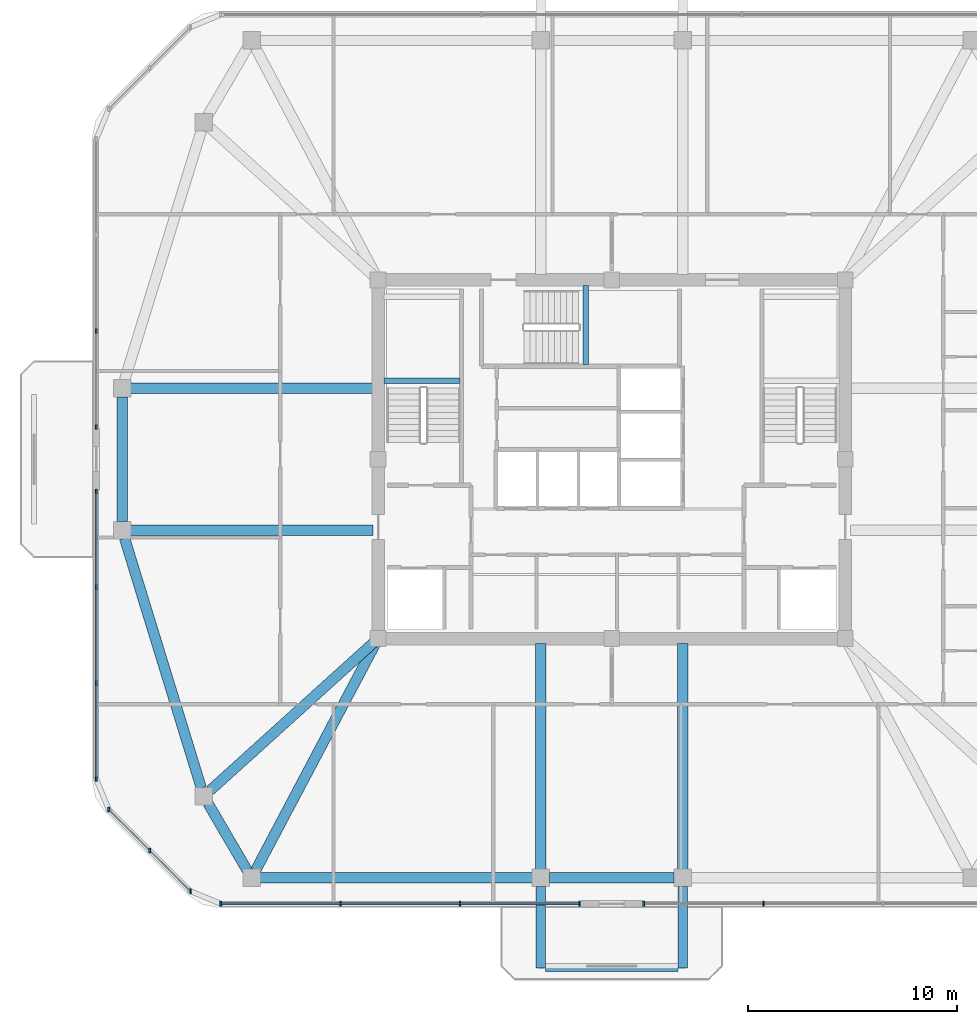
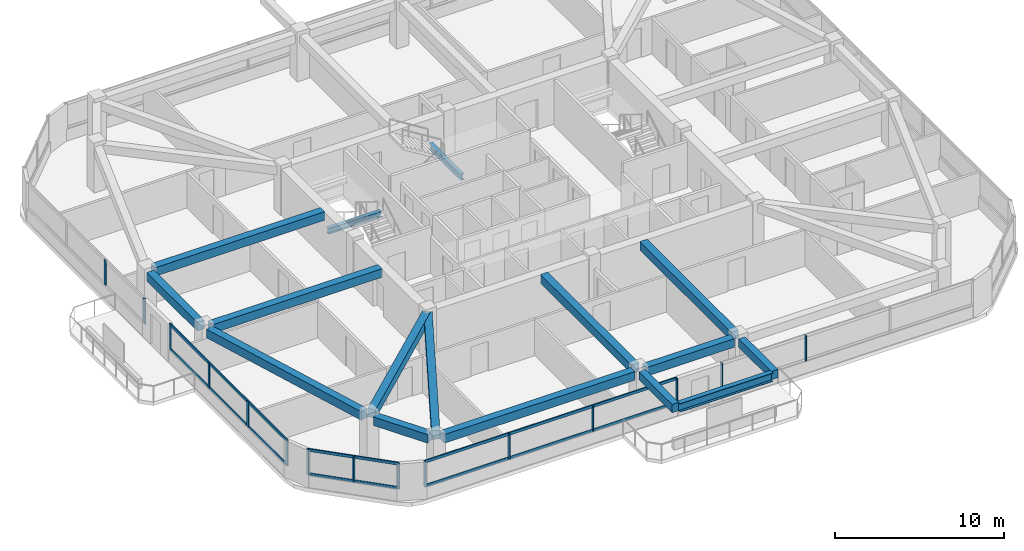
# One storey, part 2 of 13: 21 members, 16 beams, 5 elements without a shape of their own.
"""IFC4 building model written with IfcOpenShell, lengths in metres."""

from ifc_helpers import new_model, si_unit, derived_unit, direction, frame, origin, origin_2d, place, context, subcontext, project, spatial, rectangle, i_section, extrude, material, material_profile, profile_set, type_object, element, aggregate, save


model = new_model("IFC4")

# Units and contexts
model_context = context("Model", 3, precision=1e-05, world=origin(), true_north=direction((0.0, 1.0)))
body_context = subcontext(model_context, "Body", "Model", "MODEL_VIEW")
ifc_project = project(units=[si_unit("LENGTHUNIT", "METRE"), si_unit("AREAUNIT", "SQUARE_METRE"), si_unit("VOLUMEUNIT", "CUBIC_METRE"), si_unit("PLANEANGLEUNIT", "RADIAN"), si_unit("MASSUNIT", "GRAM", prefix="KILO"), derived_unit("THERMALTRANSMITTANCEUNIT", [(si_unit("POWERUNIT", "WATT"), 1), (si_unit("LENGTHUNIT", "METRE"), -2), (si_unit("THERMODYNAMICTEMPERATUREUNIT", "KELVIN"), -1)])], contexts=[model_context])

# Site, building, storey
site_placement = place(None, origin())
site = spatial("IfcSite", under=ifc_project, at=site_placement, CompositionType="ELEMENT")
building_placement = place(site_placement, origin())
building = spatial("IfcBuilding", under=site, at=building_placement, Name="Koralith Skygarden Medical Center", CompositionType="ELEMENT")
storey_placement = place(building_placement, frame((0.0, 0.0, 264.419921875)))
storey = spatial("IfcBuildingStorey", under=building, at=storey_placement, Name="L68", CompositionType="ELEMENT", Elevation=264.419921875)

# Curtain wall, members
ifc_material_1 = material(Name="Clear Laminated Glass", Category="glass")
curtain_wall_type = type_object("IfcCurtainWallType", Name="CW-6 Zone 5 Upper Clinical Curtain Wall", PredefinedType="NOTDEFINED", material=ifc_material_1)
curtain_wall_1_placement = place(storey_placement, origin())
curtain_wall_1 = element("IfcCurtainWall", 1, at=curtain_wall_1_placement, inside=storey, type_object=curtain_wall_type, Name="Curtain Wall CW-L68-S-L", PredefinedType="NOTDEFINED")
ifc_material_2 = material(Name="Aluminium 6063-T6", Category="aluminium")
ifc_material_profile_1 = material_profile(ifc_material_2, rectangle(XDim=0.0830078125, YDim=0.219970703125, at=origin_2d()), Name="MUL83X220")
ifc_profile_set_1 = profile_set([ifc_material_profile_1], Name="Aluminium 6063-T6")
member_type_1 = type_object("IfcMemberType", Name="CW-6 Extruded Mullion 83x220", PredefinedType="MULLION", material=ifc_profile_set_1)
member_1_placement = place(storey_placement, frame((18.2548828125, 4.580078125, 0.85009765625), z_axis=(0.0, 0.0, 1.0), x_axis=(1.0, 0.0, 0.0)))
member_1 = element("IfcMember", 2, at=member_1_placement, type_object=member_type_1, Name="CW-L68-S-L Mullion 1", PredefinedType="MULLION", context=body_context, shape_type="SweptSolid", body=[
    extrude(rectangle(XDim=0.0830078125, YDim=0.219970703125, at=origin_2d()), origin(), (0.0, 0.0, 1.0), 1.840087890625),
])
member_2_placement = place(storey_placement, frame((23.989990234375, 4.580078125, 0.85009765625), z_axis=(0.0, 0.0, 1.0), x_axis=(1.0, 0.0, 0.0)))
member_2 = element("IfcMember", 3, at=member_2_placement, type_object=member_type_1, Name="CW-L68-S-L Mullion 2", PredefinedType="MULLION", context=body_context, shape_type="SweptSolid", body=[
    extrude(rectangle(XDim=0.0830078125, YDim=0.219970703125, at=origin_2d()), origin(), (0.0, 0.0, 1.0), 1.840087890625),
])
member_3_placement = place(storey_placement, frame((29.72412109375, 4.580078125, 0.85009765625), z_axis=(0.0, 0.0, 1.0), x_axis=(1.0, 0.0, 0.0)))
member_3 = element("IfcMember", 4, at=member_3_placement, type_object=member_type_1, Name="CW-L68-S-L Mullion 3", PredefinedType="MULLION", context=body_context, shape_type="SweptSolid", body=[
    extrude(rectangle(XDim=0.0830078125, YDim=0.219970703125, at=origin_2d()), origin(), (0.0, 0.0, 1.0), 1.840087890625),
])
member_4_placement = place(storey_placement, frame((35.458984375, 4.580078125, 0.85009765625), z_axis=(0.0, 0.0, 1.0), x_axis=(1.0, 0.0, 0.0)))
member_4 = element("IfcMember", 5, at=member_4_placement, type_object=member_type_1, Name="CW-L68-S-L Mullion 4", PredefinedType="MULLION", context=body_context, shape_type="SweptSolid", body=[
    extrude(rectangle(XDim=0.0830078125, YDim=0.219970703125, at=origin_2d()), origin(), (0.0, 0.0, 1.0), 1.840087890625),
])

curtain_wall_2_placement = place(storey_placement, origin())
curtain_wall_2 = element("IfcCurtainWall", 6, at=curtain_wall_2_placement, inside=storey, type_object=curtain_wall_type, Name="Curtain Wall CW-L68-S-R", PredefinedType="NOTDEFINED")
member_5_placement = place(storey_placement, frame((38.5390625, 4.580078125, 0.85009765625), z_axis=(0.0, 0.0, 1.0), x_axis=(1.0, 0.0, 0.0)))
member_5 = element("IfcMember", 7, at=member_5_placement, type_object=member_type_1, Name="CW-L68-S-R Mullion 1", PredefinedType="MULLION", context=body_context, shape_type="SweptSolid", body=[
    extrude(rectangle(XDim=0.0830078125, YDim=0.219970703125, at=origin_2d()), origin(), (0.0, 0.0, 1.0), 1.840087890625),
])
member_6_placement = place(storey_placement, frame((44.27392578125, 4.580078125, 0.85009765625), z_axis=(0.0, 0.0, 1.0), x_axis=(1.0, 0.0, 0.0)))
member_6 = element("IfcMember", 8, at=member_6_placement, type_object=member_type_1, Name="CW-L68-S-R Mullion 2", PredefinedType="MULLION", context=body_context, shape_type="SweptSolid", body=[
    extrude(rectangle(XDim=0.0830078125, YDim=0.219970703125, at=origin_2d()), origin(), (0.0, 0.0, 1.0), 1.840087890625),
])
aggregate(curtain_wall_2, [member_5, member_6])

curtain_wall_3_placement = place(storey_placement, origin())
curtain_wall_3 = element("IfcCurtainWall", 9, at=curtain_wall_3_placement, inside=storey, type_object=curtain_wall_type, Name="Curtain Wall CW-L68-W-L", PredefinedType="NOTDEFINED")
member_7_placement = place(storey_placement, frame((12.280029296875, 32.0419921875, 0.85009765625), z_axis=(0.0, 0.0, 1.0), x_axis=(1.0, 0.0, 0.0)))
member_7 = element("IfcMember", 10, at=member_7_placement, type_object=member_type_1, Name="CW-L68-W-L Mullion 3", PredefinedType="MULLION", context=body_context, shape_type="SweptSolid", body=[
    extrude(rectangle(XDim=0.0830078125, YDim=0.219970703125, at=origin_2d()), origin(), (0.0, 0.0, 1.0), 1.840087890625),
])
member_8_placement = place(storey_placement, frame((12.280029296875, 27.43994140625, 0.85009765625), z_axis=(0.0, 0.0, 1.0), x_axis=(1.0, 0.0, 0.0)))
member_8 = element("IfcMember", 11, at=member_8_placement, type_object=member_type_1, Name="CW-L68-W-L Mullion 4", PredefinedType="MULLION", context=body_context, shape_type="SweptSolid", body=[
    extrude(rectangle(XDim=0.0830078125, YDim=0.219970703125, at=origin_2d()), origin(), (0.0, 0.0, 1.0), 1.840087890625),
])
aggregate(curtain_wall_3, [member_7, member_8])

curtain_wall_4_placement = place(storey_placement, origin())
curtain_wall_4 = element("IfcCurtainWall", 12, at=curtain_wall_4_placement, inside=storey, type_object=curtain_wall_type, Name="Curtain Wall CW-L68-W-R", PredefinedType="NOTDEFINED")
member_9_placement = place(storey_placement, frame((12.280029296875, 24.360107421875, 0.85009765625), z_axis=(0.0, 0.0, 1.0), x_axis=(1.0, 0.0, 0.0)))
member_9 = element("IfcMember", 13, at=member_9_placement, type_object=member_type_1, Name="CW-L68-W-R Mullion 1", PredefinedType="MULLION", context=body_context, shape_type="SweptSolid", body=[
    extrude(rectangle(XDim=0.0830078125, YDim=0.219970703125, at=origin_2d()), origin(), (0.0, 0.0, 1.0), 1.840087890625),
])
member_10_placement = place(storey_placement, frame((12.280029296875, 19.758056640625, 0.85009765625), z_axis=(0.0, 0.0, 1.0), x_axis=(1.0, 0.0, 0.0)))
member_10 = element("IfcMember", 14, at=member_10_placement, type_object=member_type_1, Name="CW-L68-W-R Mullion 2", PredefinedType="MULLION", context=body_context, shape_type="SweptSolid", body=[
    extrude(rectangle(XDim=0.0830078125, YDim=0.219970703125, at=origin_2d()), origin(), (0.0, 0.0, 1.0), 1.840087890625),
])
member_11_placement = place(storey_placement, frame((12.280029296875, 15.156982421875, 0.85009765625), z_axis=(0.0, 0.0, 1.0), x_axis=(1.0, 0.0, 0.0)))
member_11 = element("IfcMember", 15, at=member_11_placement, type_object=member_type_1, Name="CW-L68-W-R Mullion 3", PredefinedType="MULLION", context=body_context, shape_type="SweptSolid", body=[
    extrude(rectangle(XDim=0.0830078125, YDim=0.219970703125, at=origin_2d()), origin(), (0.0, 0.0, 1.0), 1.840087890625),
])
member_12_placement = place(storey_placement, frame((12.280029296875, 10.554931640625, 0.85009765625), z_axis=(0.0, 0.0, 1.0), x_axis=(1.0, 0.0, 0.0)))
member_12 = element("IfcMember", 16, at=member_12_placement, type_object=member_type_1, Name="CW-L68-W-R Mullion 4", PredefinedType="MULLION", context=body_context, shape_type="SweptSolid", body=[
    extrude(rectangle(XDim=0.0830078125, YDim=0.219970703125, at=origin_2d()), origin(), (0.0, 0.0, 1.0), 1.840087890625),
])

curtain_wall_5_placement = place(storey_placement, origin())
curtain_wall_5 = element("IfcCurtainWall", 17, at=curtain_wall_5_placement, inside=storey, type_object=curtain_wall_type, Name="Curtain Wall CW-L68-SW", PredefinedType="NOTDEFINED")
member_13_placement = place(storey_placement, frame((12.881103515625, 9.10400390625, 0.85009765625), z_axis=(0.0, 0.0, 1.0), x_axis=(1.0, 0.0, 0.0)))
member_13 = element("IfcMember", 18, at=member_13_placement, type_object=member_type_1, Name="CW-L68-SW Mullion 1", PredefinedType="MULLION", context=body_context, shape_type="SweptSolid", body=[
    extrude(rectangle(XDim=0.0830078125, YDim=0.219970703125, at=origin_2d()), origin(), (0.0, 0.0, 1.0), 1.840087890625),
])
member_14_placement = place(storey_placement, frame((14.842041015625, 7.14306640625, 0.85009765625), z_axis=(0.0, 0.0, 1.0), x_axis=(1.0, 0.0, 0.0)))
member_14 = element("IfcMember", 19, at=member_14_placement, type_object=member_type_1, Name="CW-L68-SW Mullion 2", PredefinedType="MULLION", context=body_context, shape_type="SweptSolid", body=[
    extrude(rectangle(XDim=0.0830078125, YDim=0.219970703125, at=origin_2d()), origin(), (0.0, 0.0, 1.0), 1.840087890625),
])
member_15_placement = place(storey_placement, frame((16.803955078125, 5.180908203125, 0.85009765625), z_axis=(0.0, 0.0, 1.0), x_axis=(1.0, 0.0, 0.0)))
member_15 = element("IfcMember", 20, at=member_15_placement, type_object=member_type_1, Name="CW-L68-SW Mullion 3", PredefinedType="MULLION", context=body_context, shape_type="SweptSolid", body=[
    extrude(rectangle(XDim=0.0830078125, YDim=0.219970703125, at=origin_2d()), origin(), (0.0, 0.0, 1.0), 1.840087890625),
])

# Member
ifc_material_profile_2 = material_profile(ifc_material_2, rectangle(XDim=0.077880859375, YDim=0.197998046875, at=origin_2d()), Name="TRN78X198")
ifc_profile_set_2 = profile_set([ifc_material_profile_2], Name="Aluminium 6063-T6")
member_type_2 = type_object("IfcMemberType", Name="CW-6 Thermal Transom 78x198", PredefinedType="USERDEFINED", material=ifc_profile_set_2)
member_16_placement = place(storey_placement, frame((18.2548828125, 4.580078125, 0.900146484375), z_axis=(1.0, 0.0, 0.0), x_axis=(0.0, 1.0, 0.0)))
member_16 = element("IfcMember", 21, at=member_16_placement, type_object=member_type_2, Name="CW-L68-S-L Transom 1", ObjectType="TRANSOM", PredefinedType="USERDEFINED", context=body_context, shape_type="SweptSolid", body=[
    extrude(rectangle(XDim=0.077880859375, YDim=0.197998046875, at=origin_2d()), origin(), (0.0, 0.0, 1.0), 17.2041015625),
])

member_17_placement = place(storey_placement, frame((18.2548828125, 4.580078125, 2.64013671875), z_axis=(1.0, 0.0, 0.0), x_axis=(0.0, 1.0, 0.0)))
member_17 = element("IfcMember", 22, at=member_17_placement, type_object=member_type_2, Name="CW-L68-S-L Transom 2", ObjectType="TRANSOM", PredefinedType="USERDEFINED", context=body_context, shape_type="SweptSolid", body=[
    extrude(rectangle(XDim=0.077880859375, YDim=0.197998046875, at=origin_2d()), origin(), (0.0, 0.0, 1.0), 17.2041015625),
])

aggregate(curtain_wall_1, [member_1, member_2, member_3, member_4, member_16, member_17])

member_18_placement = place(storey_placement, frame((12.280029296875, 24.360107421875, 0.900146484375), z_axis=(0.0, -1.0, 0.0), x_axis=(1.0, 0.0, 0.0)))
member_18 = element("IfcMember", 23, at=member_18_placement, type_object=member_type_2, Name="CW-L68-W-R Transom 1", ObjectType="TRANSOM", PredefinedType="USERDEFINED", context=body_context, shape_type="SweptSolid", body=[
    extrude(rectangle(XDim=0.077880859375, YDim=0.197998046875, at=origin_2d()), origin(), (0.0, 0.0, 1.0), 13.80517578125),
])

member_19_placement = place(storey_placement, frame((12.280029296875, 24.360107421875, 2.64013671875), z_axis=(0.0, -1.0, 0.0), x_axis=(1.0, 0.0, 0.0)))
member_19 = element("IfcMember", 24, at=member_19_placement, type_object=member_type_2, Name="CW-L68-W-R Transom 2", ObjectType="TRANSOM", PredefinedType="USERDEFINED", context=body_context, shape_type="SweptSolid", body=[
    extrude(rectangle(XDim=0.077880859375, YDim=0.197998046875, at=origin_2d()), origin(), (0.0, 0.0, 1.0), 13.80517578125),
])

aggregate(curtain_wall_4, [member_9, member_10, member_11, member_12, member_18, member_19])

member_20_placement = place(storey_placement, frame((12.881103515625, 9.10400390625, 0.900146484375), z_axis=(0.707084777957, -0.707128783731, 0.0), x_axis=(0.707128783731, 0.707084777957, 0.0)))
member_20 = element("IfcMember", 25, at=member_20_placement, type_object=member_type_2, Name="CW-L68-SW Transom 1", ObjectType="TRANSOM", PredefinedType="USERDEFINED", context=body_context, shape_type="SweptSolid", body=[
    extrude(rectangle(XDim=0.077880859375, YDim=0.197998046875, at=origin_2d()), origin(), (0.0, 0.0, 1.0), 5.5478515625),
])

member_21_placement = place(storey_placement, frame((12.881103515625, 9.10400390625, 2.64013671875), z_axis=(0.707084777957, -0.707128783731, 0.0), x_axis=(0.707128783731, 0.707084777957, 0.0)))
member_21 = element("IfcMember", 26, at=member_21_placement, type_object=member_type_2, Name="CW-L68-SW Transom 2", ObjectType="TRANSOM", PredefinedType="USERDEFINED", context=body_context, shape_type="SweptSolid", body=[
    extrude(rectangle(XDim=0.077880859375, YDim=0.197998046875, at=origin_2d()), origin(), (0.0, 0.0, 1.0), 5.5478515625),
])

aggregate(curtain_wall_5, [member_13, member_14, member_15, member_20, member_21])

# Beams
ifc_material_3 = material(Name="Steel ASTM A992 Grade 50", Category="steel")
ifc_material_profile_3 = material_profile(ifc_material_3, i_section(OverallWidth=0.326904296875, OverallDepth=0.6220703125, WebThickness=0.015380859375, FlangeThickness=0.0244140625, at=origin_2d()), Name="W24X131")
ifc_profile_set_3 = profile_set([ifc_material_profile_3], Name="Steel ASTM A992 Grade 50")
beam_type_1 = type_object("IfcBeamType", Name="Cantilever Tie Beam W24X131", PredefinedType="BEAM", material=ifc_profile_set_3)
beam_1_placement = place(storey_placement, frame((33.820068359375, 1.5, 3.029052734375), z_axis=(1.0, 0.0, 0.0), x_axis=(0.0, 1.0, 0.0)))
element("IfcBeam", 27, at=beam_1_placement, inside=storey, type_object=beam_type_1, Name="L69 S Balcony Tip Tie Beam", PredefinedType="BEAM", context=body_context, shape_type="SweptSolid", body=[
    extrude(i_section(OverallWidth=0.326904296875, OverallDepth=0.6220703125, WebThickness=0.015380859375, FlangeThickness=0.0244140625, at=origin_2d()), origin(), (0.0, 0.0, 1.0), 6.35986328125),
])
ifc_material_profile_4 = material_profile(ifc_material_3, i_section(OverallWidth=0.260009765625, OverallDepth=0.4150390625, WebThickness=0.010009765625, FlangeThickness=0.016845703125, at=origin_2d()), Name="W16X67")
ifc_profile_set_4 = profile_set([ifc_material_profile_4], Name="Steel ASTM A992 Grade 50")
beam_type_2 = type_object("IfcBeamType", Name="Clinical Floor Joist W16X67", PredefinedType="JOIST", material=ifc_profile_set_4)
beam_2_placement = place(storey_placement, frame((26.080078125, 29.659912109375, 1.39306640625), z_axis=(1.0, 0.0, 0.0), x_axis=(0.0, 1.0, 0.0)))
element("IfcBeam", 28, at=beam_2_placement, inside=storey, type_object=beam_type_2, Name="L68 Stair ST1 Half-Landing Support Beam 1A", PredefinedType="JOIST", context=body_context, shape_type="SweptSolid", body=[
    extrude(i_section(OverallWidth=0.260009765625, OverallDepth=0.4150390625, WebThickness=0.010009765625, FlangeThickness=0.016845703125, at=origin_2d()), origin(), (0.0, 0.0, 1.0), 3.639892578125),
])
beam_3_placement = place(storey_placement, frame((35.760009765625, 30.43994140625, 1.39306640625), z_axis=(0.0, 1.0, 0.0), x_axis=(-1.0, 0.0, 0.0)))
element("IfcBeam", 29, at=beam_3_placement, inside=storey, type_object=beam_type_2, Name="L68 Stair ST3 Half-Landing Support Beam 1A", PredefinedType="JOIST", context=body_context, shape_type="SweptSolid", body=[
    extrude(i_section(OverallWidth=0.260009765625, OverallDepth=0.4150390625, WebThickness=0.010009765625, FlangeThickness=0.016845703125, at=origin_2d()), origin(), (0.0, 0.0, 1.0), 3.780029296875),
])
ifc_material_4 = material(Name="Concrete C45/55", Category="concrete")
ifc_material_profile_5 = material_profile(ifc_material_4, rectangle(XDim=0.449951171875, YDim=0.60009765625, at=origin_2d()), Name="RCB450X600")
ifc_profile_set_5 = profile_set([ifc_material_profile_5], Name="Concrete C45/55")
beam_type_3 = type_object("IfcBeamType", Name="Planted Balcony Cantilever Beam RCB450X600", PredefinedType="BEAM", material=ifc_profile_set_5)
for number, where, z_axis, x_axis, name in (
    (30, (33.60009765625, 5.419921875, 3.0400390625), (0.0, -1.0, 0.0), (1.0, 0.0, 0.0), "L69 S Balcony Cantilever Beam A"),
    (31, (40.39990234375, 5.419921875, 3.0400390625), (0.0, -1.0, 0.0), (1.0, 0.0, 0.0), "L69 S Balcony Cantilever Beam B"),
):
    element("IfcBeam", number, at=place(storey_placement, frame(where, z_axis=z_axis, x_axis=x_axis)), inside=storey, type_object=beam_type_3, Name=name, PredefinedType="BEAM", context=body_context, shape_type="SweptSolid", body=[
        extrude(rectangle(XDim=0.449951171875, YDim=0.60009765625, at=origin_2d()), origin(), (0.0, 0.0, 1.0), 3.919921875),
    ])
ifc_material_profile_6 = material_profile(ifc_material_4, rectangle(XDim=0.5, YDim=0.6201171875, at=origin_2d()), Name="RCB500X620")
ifc_profile_set_6 = profile_set([ifc_material_profile_6], Name="Concrete C45/55")
beam_type_4 = type_object("IfcBeamType", Name="Upper Radial Collector Beam RCB500X620", PredefinedType="BEAM", material=ifc_profile_set_6)
beam_4_placement = place(storey_placement, frame((25.550048828125, 22.5, 3.010009765625), z_axis=(-1.0, 0.0, 0.0), x_axis=(0.0, -1.0, 0.0)))
element("IfcBeam", 32, at=beam_4_placement, inside=storey, type_object=beam_type_4, Name="L68 Radial Collector Beam RB-01", PredefinedType="BEAM", context=body_context, shape_type="SweptSolid", body=[
    extrude(rectangle(XDim=0.5, YDim=0.6201171875, at=origin_2d()), origin(), (0.0, 0.0, 1.0), 11.6201171875),
])
beam_5_placement = place(storey_placement, frame((25.614990234375, 17.132080078125, 3.010009765625), z_axis=(-0.741736323186, -0.670691603397, 0.0), x_axis=(0.670691603397, -0.741736323186, 0.0)))
element("IfcBeam", 33, at=beam_5_placement, inside=storey, type_object=beam_type_4, Name="L68 Radial Collector Beam RB-02", PredefinedType="BEAM", context=body_context, shape_type="SweptSolid", body=[
    extrude(rectangle(XDim=0.5, YDim=0.6201171875, at=origin_2d()), origin(), (0.0, 0.0, 1.0), 10.61181640625),
])
beam_6_placement = place(storey_placement, frame((25.68310546875, 17.0791015625, 3.010009765625), z_axis=(-0.46724871287, -0.884125918816, 0.0), x_axis=(0.884125918816, -0.46724871287, 0.0)))
element("IfcBeam", 34, at=beam_6_placement, inside=storey, type_object=beam_type_4, Name="L68 Radial Collector Beam RB-03", PredefinedType="BEAM", context=body_context, shape_type="SweptSolid", body=[
    extrude(rectangle(XDim=0.5, YDim=0.6201171875, at=origin_2d()), origin(), (0.0, 0.0, 1.0), 12.325439453125),
])
for number, where, z_axis, x_axis, name in (
    (35, (33.60009765625, 17.050048828125, 3.010009765625), (0.0, -1.0, 0.0), (1.0, 0.0, 0.0), "L68 Radial Collector Beam RB-04"),
    (36, (40.39990234375, 17.050048828125, 3.010009765625), (0.0, -1.0, 0.0), (1.0, 0.0, 0.0), "L68 Radial Collector Beam RB-05"),
):
    element("IfcBeam", number, at=place(storey_placement, frame(where, z_axis=z_axis, x_axis=x_axis)), inside=storey, type_object=beam_type_4, Name=name, PredefinedType="BEAM", context=body_context, shape_type="SweptSolid", body=[
        extrude(rectangle(XDim=0.5, YDim=0.6201171875, at=origin_2d()), origin(), (0.0, 0.0, 1.0), 10.820068359375),
    ])
beam_7_placement = place(storey_placement, frame((25.550048828125, 29.300048828125, 3.010009765625), z_axis=(-1.0, 0.0, 0.0), x_axis=(0.0, -1.0, 0.0)))
element("IfcBeam", 37, at=beam_7_placement, inside=storey, type_object=beam_type_4, Name="L68 Radial Collector Beam RB-16", PredefinedType="BEAM", context=body_context, shape_type="SweptSolid", body=[
    extrude(rectangle(XDim=0.5, YDim=0.6201171875, at=origin_2d()), origin(), (0.0, 0.0, 1.0), 11.6201171875),
])
ifc_material_profile_7 = material_profile(ifc_material_4, rectangle(XDim=0.5, YDim=0.6201171875, at=origin_2d()), Name="RCB500X620")
ifc_profile_set_7 = profile_set([ifc_material_profile_7], Name="Concrete C45/55")
beam_type_5 = type_object("IfcBeamType", Name="Zone 4-5 Spandrel Beam RCB500X620", PredefinedType="SPANDREL", material=ifc_profile_set_7)
beam_8_placement = place(storey_placement, frame((13.639892578125, 22.10791015625, 3.010009765625), z_axis=(0.293743494914, -0.955884281279, 0.0), x_axis=(0.955884281279, 0.293743494914, 0.0)))
element("IfcBeam", 38, at=beam_8_placement, inside=storey, type_object=beam_type_5, Name="L68 Perimeter Spandrel Beam SP-01", PredefinedType="SPANDREL", context=body_context, shape_type="SweptSolid", body=[
    extrude(rectangle(XDim=0.5, YDim=0.6201171875, at=origin_2d()), origin(), (0.0, 0.0, 1.0), 12.528564453125),
])
beam_9_placement = place(storey_placement, frame((17.64697265625, 9.385986328125, 3.010009765625), z_axis=(0.50473571007, -0.863273921175, 0.0), x_axis=(0.863273921175, 0.50473571007, 0.0)))
element("IfcBeam", 39, at=beam_9_placement, inside=storey, type_object=beam_type_5, Name="L68 Perimeter Spandrel Beam SP-02", PredefinedType="SPANDREL", context=body_context, shape_type="SweptSolid", body=[
    extrude(rectangle(XDim=0.5, YDim=0.6201171875, at=origin_2d()), origin(), (0.0, 0.0, 1.0), 3.720703125),
])
beam_10_placement = place(storey_placement, frame((20.14208984375, 5.820068359375, 3.010009765625), z_axis=(1.0, 0.0, 0.0), x_axis=(0.0, 1.0, 0.0)))
element("IfcBeam", 40, at=beam_10_placement, inside=storey, type_object=beam_type_5, Name="L68 Perimeter Spandrel Beam SP-03", PredefinedType="SPANDREL", context=body_context, shape_type="SweptSolid", body=[
    extrude(rectangle(XDim=0.5, YDim=0.6201171875, at=origin_2d()), origin(), (0.0, 0.0, 1.0), 13.0478515625),
])
for number, where, z_axis, x_axis, name in (
    (41, (34.010009765625, 5.820068359375, 3.010009765625), (1.0, 0.0, 0.0), (0.0, 1.0, 0.0), "L68 Perimeter Spandrel Beam SP-04"),
    (42, (13.52001953125, 28.889892578125, 3.010009765625), (0.0, -1.0, 0.0), (1.0, 0.0, 0.0), "L68 Perimeter Spandrel Beam SP-16"),
):
    element("IfcBeam", number, at=place(storey_placement, frame(where, z_axis=z_axis, x_axis=x_axis)), inside=storey, type_object=beam_type_5, Name=name, PredefinedType="SPANDREL", context=body_context, shape_type="SweptSolid", body=[
        extrude(rectangle(XDim=0.5, YDim=0.6201171875, at=origin_2d()), origin(), (0.0, 0.0, 1.0), 5.97998046875),
    ])

save(model, "model.ifc")
